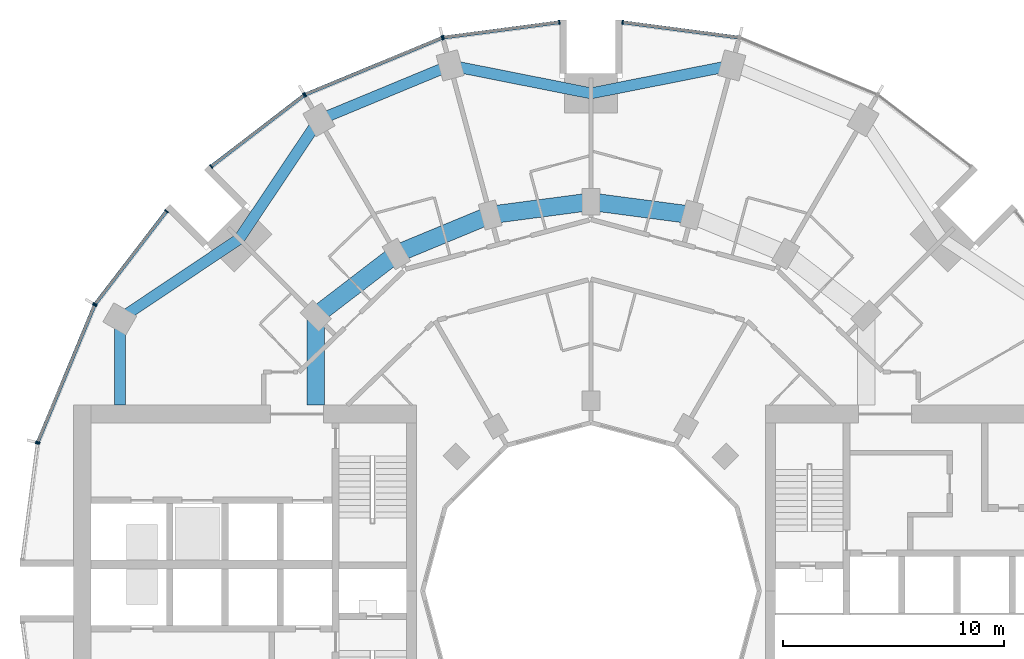
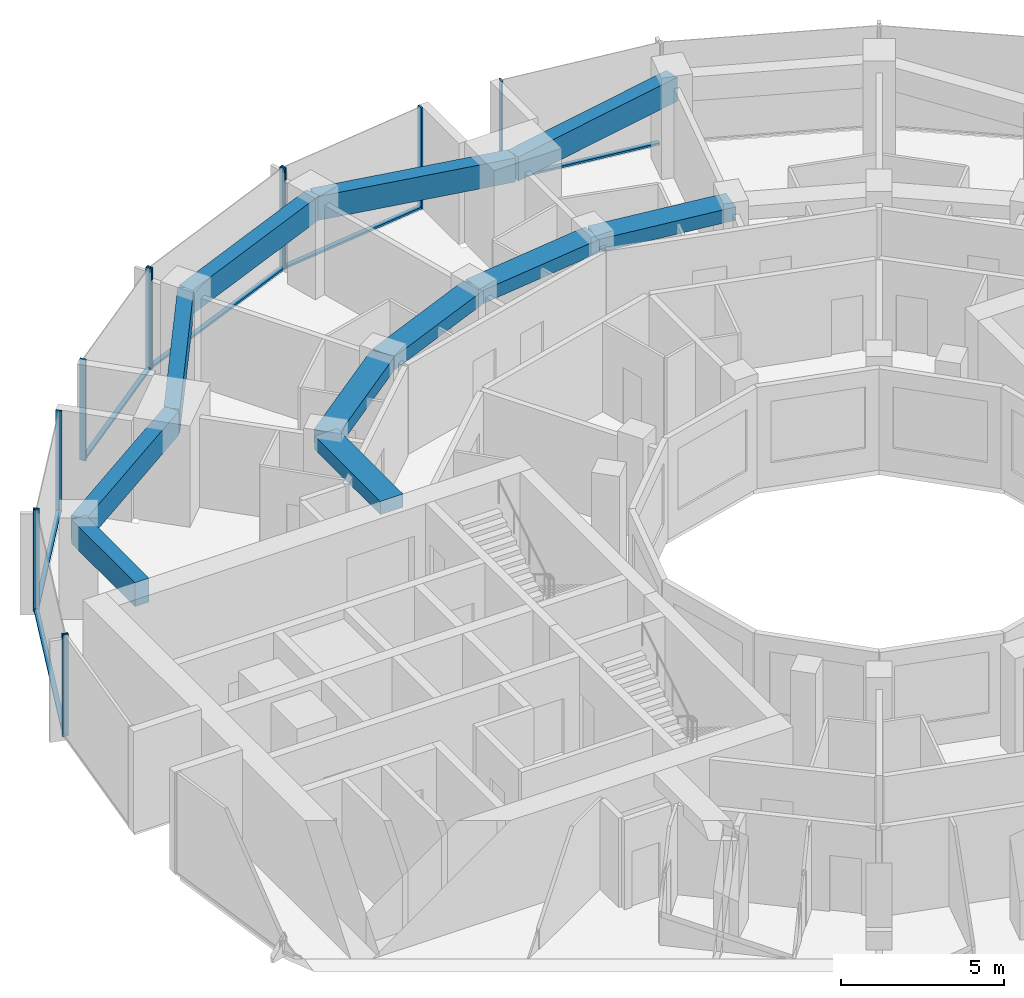
# One storey, part 5 of 15: 18 members, 11 beams, 7 elements without a shape of their own.
"""IFC4 building model written with IfcOpenShell, lengths in metres."""

import ifcopenshell
import ifcopenshell.guid

model = None  # the IFC model being written
_history = None  # IfcOwnerHistory: only IFC2X3 demands one
_inside = {}  # id of a spatial element -> (the spatial element, [elements in it])
_under = {}  # id of a project, library or spatial element -> (it, [spatial elements below it])
_declared = {}  # id of a project -> (the project, [libraries it declares])
_typed = {}  # id of a type object -> (the type object, [elements of that type])
_made_of = {}  # id of a material, layer set ... -> (it, [elements and type objects made of it])


def new_model(schema):
    """Start an empty IFC model of exactly this schema.

    Asked for "IFC4X3", IfcOpenShell would pick the latest addendum, in which some entities
    have other attributes; the version numbers below select the first issue.
    IFC2X3 requires an IfcOwnerHistory on every rooted entity: one is made here for all.
    """
    global model, _history
    if schema == "IFC4X3":
        model = ifcopenshell.file(schema_version=(4, 3, 0, 0))
    else:
        model = ifcopenshell.file(schema=schema)
    _inside.clear()
    _under.clear()
    _declared.clear()
    _typed.clear()
    _made_of.clear()
    _history = None
    if model.schema == "IFC2X3":
        org = make("IfcOrganization", Name="unknown")
        user = make(
            "IfcPersonAndOrganization",
            ThePerson=make("IfcPerson", FamilyName="unknown"),
            TheOrganization=org,
        )
        app = make(
            "IfcApplication",
            ApplicationDeveloper=org,
            Version="unknown",
            ApplicationFullName="unknown",
            ApplicationIdentifier="unknown",
        )
        _history = make(
            "IfcOwnerHistory",
            OwningUser=user,
            OwningApplication=app,
            ChangeAction="ADDED",
            CreationDate=0,
        )
    return model


def make(cls, **values):
    """One entity of the class cls with the attributes given. An attribute that is None is left unset."""
    return model.create_entity(
        cls, **{name: value for name, value in values.items() if value is not None}
    )


def rooted(cls, **values):
    """An entity with a GlobalId (a new one), such as an element, a storey or a relation."""
    return make(cls, GlobalId=ifcopenshell.guid.new(), OwnerHistory=_history, **values)


def si_unit(unit_type, name, prefix=None):
    """IfcSIUnit, for example si_unit("LENGTHUNIT", "METRE", prefix="MILLI")."""
    return make("IfcSIUnit", UnitType=unit_type, Prefix=prefix, Name=name)


def assignment(units):
    """IfcUnitAssignment: the units of a project."""
    return None if units is None else make("IfcUnitAssignment", Units=units)


def point(xyz):
    """IfcCartesianPoint."""
    return None if xyz is None else make("IfcCartesianPoint", Coordinates=xyz)


def direction(xyz):
    """IfcDirection."""
    return None if xyz is None else make("IfcDirection", DirectionRatios=xyz)


def frame(location, z_axis=None, x_axis=None):
    """IfcAxis2Placement3D, a coordinate frame: its origin and axes. An axis left out is left unset."""
    return make(
        "IfcAxis2Placement3D",
        Location=point(location),
        Axis=direction(z_axis),
        RefDirection=direction(x_axis),
    )


def frame_2d(location, x_axis=None):
    """IfcAxis2Placement2D, a coordinate frame in the plane: its origin and x axis."""
    return make(
        "IfcAxis2Placement2D", Location=point(location), RefDirection=direction(x_axis)
    )


def origin():
    """The frame at (0, 0, 0) with its axes left unset."""
    return frame((0.0, 0.0, 0.0))


def origin_2d():
    """The frame at (0, 0) in the plane with its x axis left unset."""
    return frame_2d((0.0, 0.0))


def place(relative_to, where):
    """IfcLocalPlacement: puts the frame where relative to a parent placement (None: the world)."""
    return make(
        "IfcLocalPlacement", PlacementRelTo=relative_to, RelativePlacement=where
    )


def context(
    kind, dimensions, precision=None, world=None, true_north=None, identifier=None
):
    """IfcGeometricRepresentationContext, for example the 3D "Model" context."""
    return make(
        "IfcGeometricRepresentationContext",
        ContextIdentifier=identifier,
        ContextType=kind,
        CoordinateSpaceDimension=dimensions,
        Precision=precision,
        WorldCoordinateSystem=world,
        TrueNorth=true_north,
    )


def subcontext(parent, identifier, kind, view, scale=None):
    """IfcGeometricRepresentationSubContext, for example "Body" below "Model"."""
    return make(
        "IfcGeometricRepresentationSubContext",
        ContextIdentifier=identifier,
        ContextType=kind,
        ParentContext=parent,
        TargetScale=scale,
        TargetView=view,
    )


def project(units=None, contexts=None):
    """IfcProject with its units and contexts."""
    return rooted(
        "IfcProject",
        Name="project",
        RepresentationContexts=contexts,
        UnitsInContext=assignment(units),
    )


def spatial(cls, under=None, at=None, **own):
    """A site, building, storey or space (cls), placed at a placement, below another one or the project."""
    s = rooted(cls, ObjectPlacement=at, **own)
    if under is not None:
        _under.setdefault(under.id(), (under, []))[1].append(s)
    return s


def profile(cls, at=None, kind="AREA", **sizes):
    """A parametric profile (cls). Its sizes go by their IFC names, for example OverallWidth=200.0."""
    return make(cls, ProfileType=kind, Position=at, **sizes)


def rectangle(**sizes):
    """IfcRectangleProfileDef."""
    return profile("IfcRectangleProfileDef", **sizes)


def extrude(swept, where, along, depth):
    """IfcExtrudedAreaSolid: the profile swept, set in the frame where, extruded along a direction by depth."""
    return make(
        "IfcExtrudedAreaSolid",
        SweptArea=swept,
        Position=where,
        ExtrudedDirection=direction(along),
        Depth=depth,
    )


def shape(context_of_items, identifier, shape_type, items):
    """IfcShapeRepresentation: the items that make up one representation, for example the "Body"."""
    return make(
        "IfcShapeRepresentation",
        ContextOfItems=context_of_items,
        RepresentationIdentifier=identifier,
        RepresentationType=shape_type,
        Items=items,
    )


def material(Name=None, Category=None):
    """IfcMaterial."""
    return make("IfcMaterial", Name=Name, Category=Category)


def layer(
    of_material, thickness, ventilated=None, Name=None, Category=None, Priority=None
):
    """IfcMaterialLayer: one layer of a wall or slab, of a material (None: an air gap)."""
    return make(
        "IfcMaterialLayer",
        Material=of_material,
        LayerThickness=thickness,
        IsVentilated=ventilated,
        Name=Name,
        Category=Category,
        Priority=Priority,
    )


def layer_set(layers, Name=None):
    """IfcMaterialLayerSet."""
    return make("IfcMaterialLayerSet", MaterialLayers=layers, LayerSetName=Name)


def material_profile(
    of_material, cross_section, Name=None, Category=None, Priority=None
):
    """IfcMaterialProfile: a cross section and its material."""
    return make(
        "IfcMaterialProfile",
        Name=Name,
        Material=of_material,
        Profile=cross_section,
        Priority=Priority,
        Category=Category,
    )


def profile_set(profiles, Name=None, composite=None):
    """IfcMaterialProfileSet."""
    return make(
        "IfcMaterialProfileSet",
        Name=Name,
        MaterialProfiles=profiles,
        CompositeProfile=composite,
    )


def made_of(thing, what):
    """Note that an element or type object is made of a material, layer set ...; save() writes the relation."""
    if what is not None:
        _made_of.setdefault(what.id(), (what, []))[1].append(thing)
    return thing


def type_object(cls, material=None, **own):
    """A type object (cls), such as IfcWallType, which elements share."""
    return made_of(rooted(cls, **own), material)


def element(
    cls,
    number,
    at=None,
    inside=None,
    cuts=None,
    type_object=None,
    material=None,
    context=None,
    identifier="Body",
    shape_type=None,
    held_by="IfcProductDefinitionShape",
    body=None,
    shapes=None,
    **own,
):
    """One element of the class cls, such as IfcWall. Its Tag is "e" and its number.

    at: its placement. inside: the storey or other place that contains it. cuts: it is an
    opening in that element (IfcRelVoidsElement). A single representation is given by context,
    identifier, shape_type and body (its items); several are given by shapes. held_by: the class
    of the entity that holds the representations. save() writes the other relations.
    """
    e = rooted(cls, Tag="e%d" % number, ObjectPlacement=at, **own)
    if body is not None:
        shapes = [shape(context, identifier, shape_type, body)]
    if shapes is not None:
        e.Representation = make(held_by, Representations=shapes)
    if inside is not None:
        _inside.setdefault(inside.id(), (inside, []))[1].append(e)
    if cuts is not None:
        rooted(
            "IfcRelVoidsElement", RelatingBuildingElement=cuts, RelatedOpeningElement=e
        )
    if type_object is not None:
        _typed.setdefault(type_object.id(), (type_object, []))[1].append(e)
    return made_of(e, material)


def aggregate(whole, parts):
    """IfcRelAggregates: a whole, such as a stair, and the parts it consists of."""
    return rooted("IfcRelAggregates", RelatingObject=whole, RelatedObjects=parts)


def save(model, path):
    """Write the relations noted so far, then the file.

    IfcRelAggregates (storeys below a building ...), IfcRelContainedInSpatialStructure (elements
    in a storey), IfcRelDefinesByType, IfcRelAssociatesMaterial and IfcRelDeclares: one each for
    every whole, place, type object, material and project.
    """
    for whole, parts in _under.values():
        aggregate(whole, parts)
    for where, things in _inside.values():
        rooted(
            "IfcRelContainedInSpatialStructure",
            RelatedElements=things,
            RelatingStructure=where,
        )
    for kind, things in _typed.values():
        rooted("IfcRelDefinesByType", RelatedObjects=things, RelatingType=kind)
    for what, things in _made_of.values():
        rooted("IfcRelAssociatesMaterial", RelatedObjects=things, RelatingMaterial=what)
    for by, libraries in _declared.values():
        rooted("IfcRelDeclares", RelatingContext=by, RelatedDefinitions=libraries)
    model.write(path)


model = new_model("IFC4")

# Units and contexts
model_context = context("Model", 3, precision=1e-05, world=origin(), true_north=direction((0.0, 1.0)))
body_context = subcontext(model_context, "Body", "Model", "MODEL_VIEW")
ifc_project = project(units=[si_unit("LENGTHUNIT", "METRE"), si_unit("AREAUNIT", "SQUARE_METRE"), si_unit("VOLUMEUNIT", "CUBIC_METRE"), si_unit("PLANEANGLEUNIT", "RADIAN"), si_unit("MASSUNIT", "GRAM", prefix="KILO")], contexts=[model_context])

# Site, building, storey
site_placement = place(None, origin())
site = spatial("IfcSite", under=ifc_project, at=site_placement, CompositionType="ELEMENT")
building_placement = place(site_placement, origin())
building = spatial("IfcBuilding", under=site, at=building_placement, Name="Torre Brocal", CompositionType="ELEMENT")
storey_placement = place(building_placement, frame((0.0, 0.0, 36.39990234375)))
storey = spatial("IfcBuildingStorey", under=building, at=storey_placement, Name="L07", CompositionType="ELEMENT", Elevation=36.39990234375)

# Curtain wall, member
ifc_material_1 = material(Name="Aluminium and glass", Category="aluminium")
ifc_layer_1 = layer(ifc_material_1, 0.199951171875)
ifc_layer_set_1 = layer_set([ifc_layer_1], Name="Aluminium and glass")
curtain_wall_type_1 = type_object("IfcCurtainWallType", Name="CW-1 CURTAIN WALL 3800 HIGH", PredefinedType="NOTDEFINED", material=ifc_layer_set_1)
curtain_wall_1_placement = place(storey_placement, origin())
curtain_wall_1 = element("IfcCurtainWall", 1, at=curtain_wall_1_placement, inside=storey, type_object=curtain_wall_type_1, Name="CW-1 RUN 6", PredefinedType="NOTDEFINED")
ifc_material_2 = material(Name="Aluminium, dark anodised", Category="aluminium")
ifc_material_profile_1 = material_profile(ifc_material_2, rectangle(XDim=0.199951171875, YDim=0.06005859375, at=origin_2d()), Name="CW-1 MULLION 60X200")
ifc_profile_set_1 = profile_set([ifc_material_profile_1], Name="Aluminium, dark anodised")
member_type_1 = type_object("IfcMemberType", Name="CW-1 MULLION 60X200", PredefinedType="MULLION", material=ifc_profile_set_1)
member_1_placement = place(storey_placement, frame((81.4296875, 100.7109375, 0.0), z_axis=(0.0, 0.0, 1.0), x_axis=(-0.13052619222, -0.991444861374, 0.0)))
member_1 = element("IfcMember", 2, at=member_1_placement, type_object=member_type_1, Name="CW1-1 mullion 2", PredefinedType="MULLION", context=body_context, shape_type="SweptSolid", body=[
    extrude(rectangle(XDim=0.199951171875, YDim=0.06005859375, at=origin_2d()), origin(), (0.0, 0.0, 1.0), 3.800048828125),
])

# Curtain wall, members
curtain_wall_2_placement = place(storey_placement, origin())
curtain_wall_2 = element("IfcCurtainWall", 3, at=curtain_wall_2_placement, inside=storey, type_object=curtain_wall_type_1, Name="CW-1 RUN 7", PredefinedType="NOTDEFINED")
member_2_placement = place(storey_placement, frame((78.5703125, 100.7109375, 0.0), z_axis=(0.0, 0.0, 1.0), x_axis=(0.13052619222, -0.991444861374, 0.0)))
member_2 = element("IfcMember", 4, at=member_2_placement, type_object=member_type_1, Name="CW1-1 mullion 1", PredefinedType="MULLION", context=body_context, shape_type="SweptSolid", body=[
    extrude(rectangle(XDim=0.199951171875, YDim=0.06005859375, at=origin_2d()), origin(), (0.0, 0.0, 1.0), 3.800048828125),
])
member_3_placement = place(storey_placement, frame((73.32666015625, 100.0205078125, 0.0), z_axis=(0.0, 0.0, 1.0), x_axis=(0.13052619222, -0.991444861374, 0.0)))
member_3 = element("IfcMember", 5, at=member_3_placement, type_object=member_type_1, Name="CW1-1 mullion 2", PredefinedType="MULLION", context=body_context, shape_type="SweptSolid", body=[
    extrude(rectangle(XDim=0.199951171875, YDim=0.06005859375, at=origin_2d()), origin(), (0.0, 0.0, 1.0), 3.800048828125),
])

curtain_wall_3_placement = place(storey_placement, origin())
curtain_wall_3 = element("IfcCurtainWall", 6, at=curtain_wall_3_placement, inside=storey, type_object=curtain_wall_type_1, Name="CW-1 RUN 8", PredefinedType="NOTDEFINED")
member_4_placement = place(storey_placement, frame((73.26904296875, 100.005126953125, 0.0), z_axis=(0.0, 0.0, 1.0), x_axis=(0.382683432333, -0.923879532525, 0.0)))
member_4 = element("IfcMember", 7, at=member_4_placement, type_object=member_type_1, Name="CW1-1 mullion 1", PredefinedType="MULLION", context=body_context, shape_type="SweptSolid", body=[
    extrude(rectangle(XDim=0.199951171875, YDim=0.06005859375, at=origin_2d()), origin(), (0.0, 0.0, 1.0), 3.800048828125),
])
member_5_placement = place(storey_placement, frame((67.078125, 97.440673828125, 0.0), z_axis=(0.0, 0.0, 1.0), x_axis=(0.382683432333, -0.923879532525, 0.0)))
member_5 = element("IfcMember", 8, at=member_5_placement, type_object=member_type_1, Name="CW1-1 mullion 2", PredefinedType="MULLION", context=body_context, shape_type="SweptSolid", body=[
    extrude(rectangle(XDim=0.199951171875, YDim=0.06005859375, at=origin_2d()), origin(), (0.0, 0.0, 1.0), 3.800048828125),
])

curtain_wall_4_placement = place(storey_placement, origin())
curtain_wall_4 = element("IfcCurtainWall", 9, at=curtain_wall_4_placement, inside=storey, type_object=curtain_wall_type_1, Name="CW-1 RUN 9", PredefinedType="NOTDEFINED")
member_6_placement = place(storey_placement, frame((67.026611328125, 97.4111328125, 0.0), z_axis=(0.0, 0.0, 1.0), x_axis=(0.60876142905, -0.793353340259, 0.0)))
member_6 = element("IfcMember", 10, at=member_6_placement, type_object=member_type_1, Name="CW1-1 mullion 1", PredefinedType="MULLION", context=body_context, shape_type="SweptSolid", body=[
    extrude(rectangle(XDim=0.199951171875, YDim=0.06005859375, at=origin_2d()), origin(), (0.0, 0.0, 1.0), 3.800048828125),
])
member_7_placement = place(storey_placement, frame((62.83056640625, 94.19140625, 0.0), z_axis=(0.0, 0.0, 1.0), x_axis=(0.60876142905, -0.793353340259, 0.0)))
member_7 = element("IfcMember", 11, at=member_7_placement, type_object=member_type_1, Name="CW1-1 mullion 2", PredefinedType="MULLION", context=body_context, shape_type="SweptSolid", body=[
    extrude(rectangle(XDim=0.199951171875, YDim=0.06005859375, at=origin_2d()), origin(), (0.0, 0.0, 1.0), 3.800048828125),
])

curtain_wall_5_placement = place(storey_placement, origin())
curtain_wall_5 = element("IfcCurtainWall", 12, at=curtain_wall_5_placement, inside=storey, type_object=curtain_wall_type_1, Name="CW-1 RUN 10", PredefinedType="NOTDEFINED")
member_8_placement = place(storey_placement, frame((60.80859375, 92.16943359375, 0.0), z_axis=(0.0, 0.0, 1.0), x_axis=(0.793353340259, -0.60876142905, 0.0)))
member_8 = element("IfcMember", 13, at=member_8_placement, type_object=member_type_1, Name="CW1-1 mullion 1", PredefinedType="MULLION", context=body_context, shape_type="SweptSolid", body=[
    extrude(rectangle(XDim=0.199951171875, YDim=0.06005859375, at=origin_2d()), origin(), (0.0, 0.0, 1.0), 3.800048828125),
])
member_9_placement = place(storey_placement, frame((57.5888671875, 87.973388671875, 0.0), z_axis=(0.0, 0.0, 1.0), x_axis=(0.793353340259, -0.60876142905, 0.0)))
member_9 = element("IfcMember", 14, at=member_9_placement, type_object=member_type_1, Name="CW1-1 mullion 2", PredefinedType="MULLION", context=body_context, shape_type="SweptSolid", body=[
    extrude(rectangle(XDim=0.199951171875, YDim=0.06005859375, at=origin_2d()), origin(), (0.0, 0.0, 1.0), 3.800048828125),
])

curtain_wall_6_placement = place(storey_placement, origin())
curtain_wall_6 = element("IfcCurtainWall", 15, at=curtain_wall_6_placement, inside=storey, type_object=curtain_wall_type_1, Name="CW-1 RUN 11", PredefinedType="NOTDEFINED")
member_10_placement = place(storey_placement, frame((57.559326171875, 87.921875, 0.0), z_axis=(0.0, 0.0, 1.0), x_axis=(0.923879532525, -0.382683432333, 0.0)))
member_10 = element("IfcMember", 16, at=member_10_placement, type_object=member_type_1, Name="CW1-1 mullion 1", PredefinedType="MULLION", context=body_context, shape_type="SweptSolid", body=[
    extrude(rectangle(XDim=0.199951171875, YDim=0.06005859375, at=origin_2d()), origin(), (0.0, 0.0, 1.0), 3.800048828125),
])
member_11_placement = place(storey_placement, frame((54.994873046875, 81.73095703125, 0.0), z_axis=(0.0, 0.0, 1.0), x_axis=(0.923879532525, -0.382683432333, 0.0)))
member_11 = element("IfcMember", 17, at=member_11_placement, type_object=member_type_1, Name="CW1-1 mullion 2", PredefinedType="MULLION", context=body_context, shape_type="SweptSolid", body=[
    extrude(rectangle(XDim=0.199951171875, YDim=0.06005859375, at=origin_2d()), origin(), (0.0, 0.0, 1.0), 3.800048828125),
])

# Member
ifc_material_3 = material(Name="Aluminium, dark anodised", Category="aluminium")
ifc_material_profile_2 = material_profile(ifc_material_3, rectangle(XDim=0.159912109375, YDim=0.080078125, at=origin_2d()), Name="CW-1 TRANSOM 160X80")
ifc_profile_set_2 = profile_set([ifc_material_profile_2], Name="Aluminium, dark anodised")
member_type_2 = type_object("IfcMemberType", Name="CW-1 TRANSOM 160X80", PredefinedType="USERDEFINED", material=ifc_profile_set_2)
member_12_placement = place(storey_placement, frame((86.643798828125, 100.0244140625, 0.0400390625), z_axis=(-0.991442690863, 0.130542677827, 0.0), x_axis=(-0.130542677827, -0.991442690863, 0.0)))
member_12 = element("IfcMember", 18, at=member_12_placement, type_object=member_type_2, Name="CW1-1 transom 1.1", ObjectType="TRANSOM", PredefinedType="USERDEFINED", context=body_context, shape_type="SweptSolid", body=[
    extrude(rectangle(XDim=0.159912109375, YDim=0.080078125, at=origin_2d()), origin(), (0.0, 0.0, 1.0), 5.22900390625),
])

aggregate(curtain_wall_1, [member_1, member_12])

member_13_placement = place(storey_placement, frame((78.54052734375, 100.70703125, 0.0400390625), z_axis=(-0.991442690863, -0.130542677827, 0.0), x_axis=(0.130542677827, -0.991442690863, 0.0)))
member_13 = element("IfcMember", 19, at=member_13_placement, type_object=member_type_2, Name="CW1-1 transom 1.1", ObjectType="TRANSOM", PredefinedType="USERDEFINED", context=body_context, shape_type="SweptSolid", body=[
    extrude(rectangle(XDim=0.159912109375, YDim=0.080078125, at=origin_2d()), origin(), (0.0, 0.0, 1.0), 5.22900390625),
])

aggregate(curtain_wall_2, [member_2, member_3, member_13])

member_14_placement = place(storey_placement, frame((73.241455078125, 99.99365234375, 0.0400390625), z_axis=(-0.923887344364, -0.38266457234, 0.0), x_axis=(0.38266457234, -0.923887344364, 0.0)))
member_14 = element("IfcMember", 20, at=member_14_placement, type_object=member_type_2, Name="CW1-1 transom 1.1", ObjectType="TRANSOM", PredefinedType="USERDEFINED", context=body_context, shape_type="SweptSolid", body=[
    extrude(rectangle(XDim=0.159912109375, YDim=0.080078125, at=origin_2d()), origin(), (0.0, 0.0, 1.0), 6.640869140625),
])

aggregate(curtain_wall_3, [member_4, member_5, member_14])

member_15_placement = place(storey_placement, frame((67.0029296875, 97.392822265625, 0.0400390625), z_axis=(-0.79336281513, -0.60874908096, 0.0), x_axis=(0.60874908096, -0.79336281513, 0.0)))
member_15 = element("IfcMember", 21, at=member_15_placement, type_object=member_type_2, Name="CW1-1 transom 1.1", ObjectType="TRANSOM", PredefinedType="USERDEFINED", context=body_context, shape_type="SweptSolid", body=[
    extrude(rectangle(XDim=0.159912109375, YDim=0.080078125, at=origin_2d()), origin(), (0.0, 0.0, 1.0), 5.22900390625),
])

aggregate(curtain_wall_4, [member_6, member_7, member_15])

member_16_placement = place(storey_placement, frame((60.790283203125, 92.1455078125, 0.0400390625), z_axis=(-0.60874908096, -0.79336281513, 0.0), x_axis=(0.79336281513, -0.60874908096, 0.0)))
member_16 = element("IfcMember", 22, at=member_16_placement, type_object=member_type_2, Name="CW1-1 transom 1.1", ObjectType="TRANSOM", PredefinedType="USERDEFINED", context=body_context, shape_type="SweptSolid", body=[
    extrude(rectangle(XDim=0.159912109375, YDim=0.080078125, at=origin_2d()), origin(), (0.0, 0.0, 1.0), 5.22900390625),
])

aggregate(curtain_wall_5, [member_8, member_9, member_16])

member_17_placement = place(storey_placement, frame((57.547607421875, 87.89404296875, 0.0400390625), z_axis=(-0.38266457234, -0.923887344364, 0.0), x_axis=(0.923887344364, -0.38266457234, 0.0)))
member_17 = element("IfcMember", 23, at=member_17_placement, type_object=member_type_2, Name="CW1-1 transom 1.1", ObjectType="TRANSOM", PredefinedType="USERDEFINED", context=body_context, shape_type="SweptSolid", body=[
    extrude(rectangle(XDim=0.159912109375, YDim=0.080078125, at=origin_2d()), origin(), (0.0, 0.0, 1.0), 6.640869140625),
])

aggregate(curtain_wall_6, [member_10, member_11, member_17])

# Curtain wall, member
ifc_material_4 = material(Name="Aluminium and glass", Category="aluminium")
ifc_layer_2 = layer(ifc_material_4, 0.199951171875)
ifc_layer_set_2 = layer_set([ifc_layer_2], Name="Aluminium and glass")
curtain_wall_type_2 = type_object("IfcCurtainWallType", Name="CW-1B CURTAIN WALL 3800 HIGH", PredefinedType="NOTDEFINED", material=ifc_layer_set_2)
curtain_wall_7_placement = place(storey_placement, origin())
curtain_wall_7 = element("IfcCurtainWall", 24, at=curtain_wall_7_placement, inside=storey, type_object=curtain_wall_type_2, Name="CW-1B RUN 12", PredefinedType="NOTDEFINED")
ifc_material_5 = material(Name="Aluminium, dark anodised", Category="aluminium")
ifc_material_profile_3 = material_profile(ifc_material_5, rectangle(XDim=0.199951171875, YDim=0.06005859375, at=origin_2d()), Name="CW-1B MULLION 60X200")
ifc_profile_set_3 = profile_set([ifc_material_profile_3], Name="Aluminium, dark anodised")
member_type_3 = type_object("IfcMemberType", Name="CW-1B MULLION 60X200", PredefinedType="MULLION", material=ifc_profile_set_3)
member_18_placement = place(storey_placement, frame((54.9794921875, 81.67333984375, 0.0), z_axis=(0.0, 0.0, 1.0), x_axis=(0.991444861374, -0.13052619222, 0.0)))
member_18 = element("IfcMember", 25, at=member_18_placement, type_object=member_type_3, Name="CW1B-1 mullion 1", PredefinedType="MULLION", context=body_context, shape_type="SweptSolid", body=[
    extrude(rectangle(XDim=0.199951171875, YDim=0.06005859375, at=origin_2d()), origin(), (0.0, 0.0, 1.0), 3.800048828125),
])
aggregate(curtain_wall_7, [member_18])

# Beams
ifc_material_6 = material(Name="Concrete C50", Category="concrete")
ifc_material_profile_4 = material_profile(ifc_material_6, rectangle(XDim=0.800048828125, YDim=0.5, at=origin_2d()), Name="RC 800X500")
ifc_profile_set_4 = profile_set([ifc_material_profile_4], Name="Concrete C50")
beam_type_1 = type_object("IfcBeamType", Name="RC BEAM 800X500 C50 TOP 3480", PredefinedType="BEAM", material=ifc_profile_set_4)
for number, where, z_axis, x_axis, name in (
    (26, (84.55517578125, 92.000244140625, 3.22998046875), (-0.991440544449, 0.130558978332, 0.0), (-0.130558978332, -0.991440544449, 0.0), "Beam BT-19"),
    (27, (80.0, 92.60009765625, 3.22998046875), (-0.991440544449, -0.130558978332, 0.0), (0.130558978332, -0.991440544449, 0.0), "Beam BT-19"),
):
    element("IfcBeam", number, at=place(storey_placement, frame(where, z_axis=z_axis, x_axis=x_axis)), inside=storey, type_object=beam_type_1, Name=name, PredefinedType="BEAM", context=body_context, shape_type="SweptSolid", body=[
        extrude(rectangle(XDim=0.800048828125, YDim=0.5, at=origin_2d()), origin(), (0.0, 0.0, 1.0), 4.594482421875),
    ])
beam_1_placement = place(storey_placement, frame((75.44482421875, 92.000244140625, 3.22998046875), z_axis=(-0.923878240166, -0.382686552348, 0.0), x_axis=(0.382686552348, -0.923878240166, 0.0)))
element("IfcBeam", 28, at=beam_1_placement, inside=storey, type_object=beam_type_1, Name="Beam BT-19", PredefinedType="BEAM", context=body_context, shape_type="SweptSolid", body=[
    extrude(rectangle(XDim=0.800048828125, YDim=0.5, at=origin_2d()), origin(), (0.0, 0.0, 1.0), 4.5947265625),
])
beam_2_placement = place(storey_placement, frame((71.199951171875, 90.241943359375, 3.22998046875), z_axis=(-0.793358265959, -0.6087550097, 0.0), x_axis=(0.6087550097, -0.793358265959, 0.0)))
element("IfcBeam", 29, at=beam_2_placement, inside=storey, type_object=beam_type_1, Name="Beam BT-19", PredefinedType="BEAM", context=body_context, shape_type="SweptSolid", body=[
    extrude(rectangle(XDim=0.800048828125, YDim=0.5, at=origin_2d()), origin(), (0.0, 0.0, 1.0), 4.594482421875),
])
beam_3_placement = place(storey_placement, frame((67.554931640625, 87.445068359375, 3.22998046875), z_axis=(0.0, -1.0, 0.0), x_axis=(1.0, 0.0, 0.0)))
element("IfcBeam", 30, at=beam_3_placement, inside=storey, type_object=beam_type_1, Name="Beam BT-19", PredefinedType="BEAM", context=body_context, shape_type="SweptSolid", body=[
    extrude(rectangle(XDim=0.800048828125, YDim=0.5, at=origin_2d()), origin(), (0.0, 0.0, 1.0), 4.045166015625),
])
ifc_material_7 = material(Name="Concrete C50", Category="concrete")
ifc_material_profile_5 = material_profile(ifc_material_7, rectangle(XDim=0.5, YDim=0.89990234375, at=origin_2d()), Name="RC 500X900")
ifc_profile_set_5 = profile_set([ifc_material_profile_5], Name="Concrete C50")
beam_type_2 = type_object("IfcBeamType", Name="RC SPANDREL BEAM 500X900 C50 TOP 3480", PredefinedType="SPANDREL", material=ifc_profile_set_5)
for number, where, z_axis, x_axis, name in (
    (31, (86.366943359375, 98.76171875, 3.030029296875), (-0.980924907484, -0.194387051723, 0.0), (0.194387051723, -0.980924907484, 0.0), "Beam BT-20"),
    (32, (80.0, 97.5, 3.030029296875), (-0.980924907484, 0.194387051723, 0.0), (-0.194387051723, -0.980924907484, 0.0), "Beam BT-20"),
):
    element("IfcBeam", number, at=place(storey_placement, frame(where, z_axis=z_axis, x_axis=x_axis)), inside=storey, type_object=beam_type_2, Name=name, PredefinedType="SPANDREL", context=body_context, shape_type="SweptSolid", body=[
        extrude(rectangle(XDim=0.5, YDim=0.89990234375, at=origin_2d()), origin(), (0.0, 0.0, 1.0), 6.49072265625),
    ])
beam_4_placement = place(storey_placement, frame((73.633056640625, 98.76171875, 3.030029296875), z_axis=(-0.923882462513, -0.382676358639, 0.0), x_axis=(0.382676358639, -0.923882462513, 0.0)))
element("IfcBeam", 33, at=beam_4_placement, inside=storey, type_object=beam_type_2, Name="Beam BT-20", PredefinedType="SPANDREL", context=body_context, shape_type="SweptSolid", body=[
    extrude(rectangle(XDim=0.5, YDim=0.89990234375, at=origin_2d()), origin(), (0.0, 0.0, 1.0), 6.421875),
])
for number, where, z_axis, x_axis, name in (
    (34, (67.699951171875, 96.30419921875, 3.030029296875), (-0.556157602282, -0.831076844476, 0.0), (0.831076844476, -0.556157602282, 0.0), "Beam BT-20"),
    (35, (64.090087890625, 90.909912109375, 3.030029296875), (-0.831076844476, -0.556157602282, 0.0), (0.556157602282, -0.831076844476, 0.0), "Beam BT-20"),
):
    element("IfcBeam", number, at=place(storey_placement, frame(where, z_axis=z_axis, x_axis=x_axis)), inside=storey, type_object=beam_type_2, Name=name, PredefinedType="SPANDREL", context=body_context, shape_type="SweptSolid", body=[
        extrude(rectangle(XDim=0.5, YDim=0.89990234375, at=origin_2d()), origin(), (0.0, 0.0, 1.0), 6.49072265625),
    ])
beam_5_placement = place(storey_placement, frame((58.69580078125, 87.300048828125, 3.030029296875), z_axis=(0.0, -1.0, 0.0), x_axis=(1.0, 0.0, 0.0)))
element("IfcBeam", 36, at=beam_5_placement, inside=storey, type_object=beam_type_2, Name="Beam BT-20", PredefinedType="SPANDREL", context=body_context, shape_type="SweptSolid", body=[
    extrude(rectangle(XDim=0.5, YDim=0.89990234375, at=origin_2d()), origin(), (0.0, 0.0, 1.0), 3.900146484375),
])

save(model, "model.ifc")
